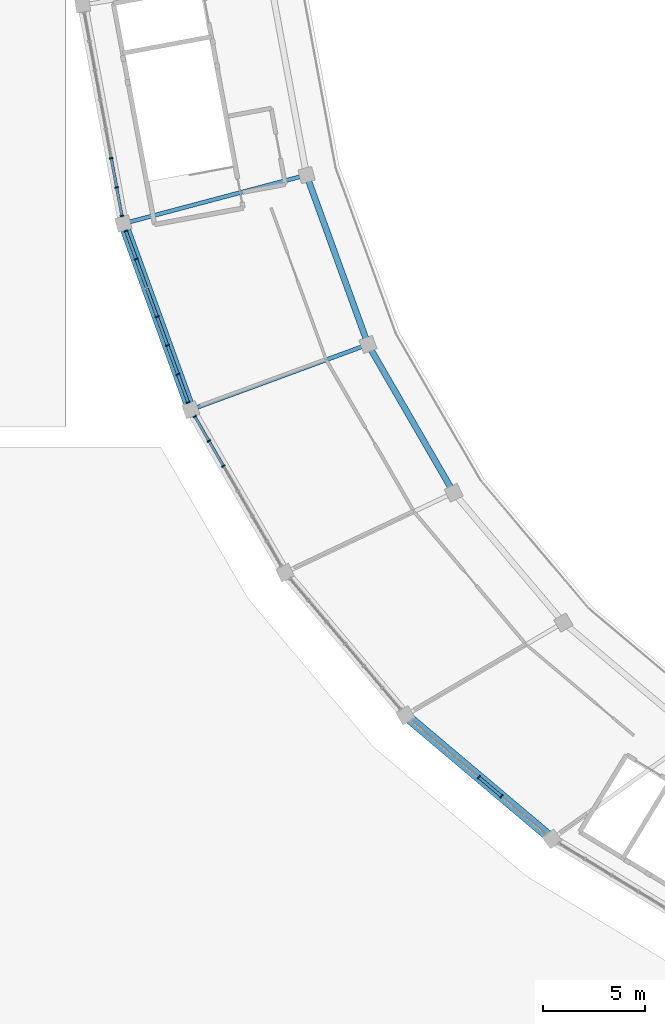
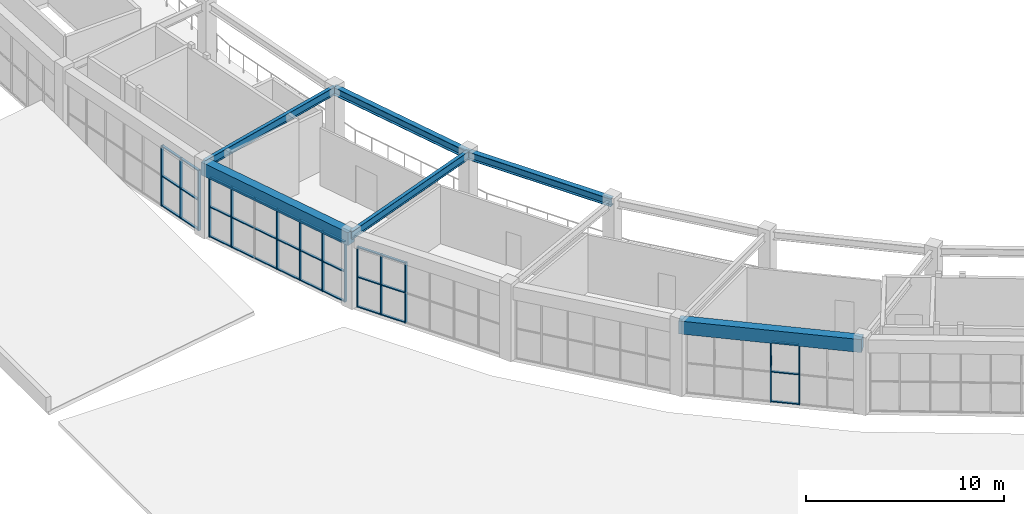
# One storey, part 17 of 45: 47 members, 6 beams, 4 elements without a shape of their own.
"""IFC4 building model written with IfcOpenShell, lengths in metres."""

from ifc_helpers import new_model, si_unit, direction, frame, origin, origin_2d, place, context, subcontext, project, spatial, rectangle, i_section, extrude, material, layer, layer_set, material_profile, profile_set, type_object, element, aggregate, save


model = new_model("IFC4")

# Units and contexts
model_context = context("Model", 3, precision=1e-05, world=origin(), true_north=direction((0.0, 1.0)))
body_context = subcontext(model_context, "Body", "Model", "MODEL_VIEW")
ifc_project = project(units=[si_unit("LENGTHUNIT", "METRE"), si_unit("AREAUNIT", "SQUARE_METRE"), si_unit("VOLUMEUNIT", "CUBIC_METRE"), si_unit("PLANEANGLEUNIT", "RADIAN"), si_unit("MASSUNIT", "GRAM", prefix="KILO")], contexts=[model_context])

# Site, building, storey
site_placement = place(None, origin())
site = spatial("IfcSite", under=ifc_project, at=site_placement, CompositionType="ELEMENT")
building_placement = place(site_placement, origin())
building = spatial("IfcBuilding", under=site, at=building_placement, Name="Mphavela Belvedere Stadium", CompositionType="ELEMENT")
storey_placement = place(building_placement, frame((0.0, 0.0, 24.0)))
storey = spatial("IfcBuildingStorey", under=building, at=storey_placement, Name="L05", CompositionType="ELEMENT", Elevation=24.0)

# Beams
ifc_material_1 = material(Name="Concrete C40/50", Category="concrete")
ifc_material_profile_1 = material_profile(ifc_material_1, rectangle(XDim=0.5, YDim=0.800048828125, at=origin_2d()), Name="RC 500x800")
ifc_profile_set_1 = profile_set([ifc_material_profile_1], Name="Concrete C40/50")
beam_type_1 = type_object("IfcBeamType", Name="BM-SPANDREL-800", PredefinedType="SPANDREL", material=ifc_profile_set_1)
beam_1_placement = place(storey_placement, frame((14.83544921875, 60.4375, 4.14990234375), z_axis=(0.341017570596, -0.94005692197, 0.0), x_axis=(0.94005692197, 0.341017570596, 0.0)))
element("IfcBeam", 1, at=beam_1_placement, inside=storey, type_object=beam_type_1, Name="Circumferential girder L05 R4-27", PredefinedType="SPANDREL", context=body_context, shape_type="SweptSolid", body=[
    extrude(rectangle(XDim=0.5, YDim=0.800048828125, at=origin_2d()), origin(), (0.0, 0.0, 1.0), 9.701416015625),
])
beam_2_placement = place(storey_placement, frame((28.66162109375, 36.346435546875, 4.14990234375), z_axis=(0.76426547638, -0.644901761212, 0.0), x_axis=(0.644901761212, 0.76426547638, 0.0)))
element("IfcBeam", 2, at=beam_2_placement, inside=storey, type_object=beam_type_1, Name="Circumferential girder L05 R4-30", PredefinedType="SPANDREL", context=body_context, shape_type="SweptSolid", body=[
    extrude(rectangle(XDim=0.5, YDim=0.800048828125, at=origin_2d()), origin(), (0.0, 0.0, 1.0), 9.3984375),
])
ifc_material_2 = material(Name="Steel S355", Category="steel")
ifc_material_profile_2 = material_profile(ifc_material_2, i_section(OverallWidth=0.300048828125, OverallDepth=0.489990234375, WebThickness=0.011962890625, FlangeThickness=0.02294921875, at=origin_2d()), Name="HEA 500")
ifc_profile_set_2 = profile_set([ifc_material_profile_2], Name="Steel S355")
beam_type_2 = type_object("IfcBeamType", Name="BM-STEEL-HEA500", PredefinedType="BEAM", material=ifc_profile_set_2)
beam_3_placement = place(storey_placement, frame((23.8125, 62.818115234375, 4.304931640625), z_axis=(0.341030504348, -0.940052229987, 0.0), x_axis=(0.940052229987, 0.341030504348, 0.0)))
element("IfcBeam", 3, at=beam_3_placement, inside=storey, type_object=beam_type_2, Name="Circumferential girder L05 R3-27", PredefinedType="BEAM", context=body_context, shape_type="SweptSolid", body=[
    extrude(i_section(OverallWidth=0.300048828125, OverallDepth=0.489990234375, WebThickness=0.011962890625, FlangeThickness=0.02294921875, at=origin_2d()), origin(), (0.0, 0.0, 1.0), 8.83203125),
])
beam_4_placement = place(storey_placement, frame((26.824462890625, 54.515625, 4.304931640625), z_axis=(0.500547586322, -0.865709023765, 0.0), x_axis=(0.865709023765, 0.500547586322, 0.0)))
element("IfcBeam", 4, at=beam_4_placement, inside=storey, type_object=beam_type_2, Name="Circumferential girder L05 R3-28", PredefinedType="BEAM", context=body_context, shape_type="SweptSolid", body=[
    extrude(i_section(OverallWidth=0.300048828125, OverallDepth=0.489990234375, WebThickness=0.011962890625, FlangeThickness=0.02294921875, at=origin_2d()), origin(), (0.0, 0.0, 1.0), 8.390625),
])
ifc_material_3 = material(Name="Steel S355", Category="steel")
ifc_material_profile_3 = material_profile(ifc_material_3, i_section(OverallWidth=0.199951171875, OverallDepth=0.5, WebThickness=0.01025390625, FlangeThickness=0.01611328125, at=origin_2d()), Name="IPE 500")
ifc_profile_set_3 = profile_set([ifc_material_profile_3], Name="Steel S355")
beam_type_3 = type_object("IfcBeamType", Name="BM-STEEL-IPE500", PredefinedType="BEAM", material=ifc_profile_set_3)
beam_5_placement = place(storey_placement, frame((23.8125, 62.818115234375, 4.300048828125), z_axis=(-0.966589609073, -0.256328944196, 0.0), x_axis=(0.256328944196, -0.966589609073, 0.0)))
element("IfcBeam", 5, at=beam_5_placement, inside=storey, type_object=beam_type_3, Name="Radial concourse girder L05 R3R4-27", PredefinedType="BEAM", context=body_context, shape_type="SweptSolid", body=[
    extrude(i_section(OverallWidth=0.199951171875, OverallDepth=0.5, WebThickness=0.01025390625, FlangeThickness=0.01611328125, at=origin_2d()), origin(), (0.0, 0.0, 1.0), 9.287353515625),
])
beam_6_placement = place(storey_placement, frame((26.824462890625, 54.515625, 4.300048828125), z_axis=(-0.938348073025, -0.345691905967, 0.0), x_axis=(0.345691905967, -0.938348073025, 0.0)))
element("IfcBeam", 6, at=beam_6_placement, inside=storey, type_object=beam_type_3, Name="Radial concourse girder L05 R3R4-28", PredefinedType="BEAM", context=body_context, shape_type="SweptSolid", body=[
    extrude(i_section(OverallWidth=0.199951171875, OverallDepth=0.5, WebThickness=0.01025390625, FlangeThickness=0.01611328125, at=origin_2d()), origin(), (0.0, 0.0, 1.0), 9.2509765625),
])

# Curtain wall, members
ifc_material_4 = material(Name="Anodised bronze unitised curtain wall framing")
ifc_layer_1 = layer(ifc_material_4, 0.18505859375)
ifc_layer_set_1 = layer_set([ifc_layer_1], Name="Anodised bronze unitised curtain wall framing")
curtain_wall_type_1 = type_object("IfcCurtainWallType", Name="CW-UNIT-02", PredefinedType="USERDEFINED", material=ifc_layer_set_1)
curtain_wall_1_placement = place(storey_placement, origin())
curtain_wall_1 = element("IfcCurtainWall", 7, at=curtain_wall_1_placement, inside=storey, type_object=curtain_wall_type_1, Name="Belvedere colonnade curtain wall L05-26", ObjectType="UNITISED CURTAIN WALL", PredefinedType="USERDEFINED")
ifc_material_5 = material(Name="Anodised bronze extruded aluminium", Category="aluminium")
ifc_material_profile_4 = material_profile(ifc_material_5, rectangle(XDim=0.179931640625, YDim=0.06494140625, at=origin_2d()), Name="CW-MUL 180x65")
ifc_profile_set_4 = profile_set([ifc_material_profile_4], Name="Anodised bronze extruded aluminium")
member_type_1 = type_object("IfcMemberType", Name="CWM-180x65", PredefinedType="MULLION", material=ifc_profile_set_4)
member_1_placement = place(storey_placement, frame((14.2392578125, 63.646240234375, 0.0), z_axis=(0.0, 0.0, 1.0), x_axis=(0.98318393569, 0.182618040183, 0.0)))
member_1 = element("IfcMember", 8, at=member_1_placement, type_object=member_type_1, Name="CW-02 mullion 6", PredefinedType="MULLION", context=body_context, shape_type="SweptSolid", body=[
    extrude(rectangle(XDim=0.179931640625, YDim=0.06494140625, at=origin_2d()), origin(), (0.0, 0.0, 1.0), 3.719970703125),
])
member_2_placement = place(storey_placement, frame((14.505615234375, 62.212890625, 0.0), z_axis=(0.0, 0.0, 1.0), x_axis=(0.98318393569, 0.182618040183, 0.0)))
member_2 = element("IfcMember", 9, at=member_2_placement, type_object=member_type_1, Name="CW-02 mullion 7", PredefinedType="MULLION", context=body_context, shape_type="SweptSolid", body=[
    extrude(rectangle(XDim=0.179931640625, YDim=0.06494140625, at=origin_2d()), origin(), (0.0, 0.0, 1.0), 3.719970703125),
])
member_3_placement = place(storey_placement, frame((14.765869140625, 60.8115234375, 0.0), z_axis=(0.0, 0.0, 1.0), x_axis=(0.98318393569, 0.182618040183, 0.0)))
member_3 = element("IfcMember", 10, at=member_3_placement, type_object=member_type_1, Name="CW-02 mullion 8", PredefinedType="MULLION", context=body_context, shape_type="SweptSolid", body=[
    extrude(rectangle(XDim=0.179931640625, YDim=0.06494140625, at=origin_2d()), origin(), (0.0, 0.0, 1.0), 3.719970703125),
])

ifc_material_6 = material(Name="Anodised bronze unitised curtain wall framing")
ifc_layer_2 = layer(ifc_material_6, 0.18994140625)
ifc_layer_set_2 = layer_set([ifc_layer_2], Name="Anodised bronze unitised curtain wall framing")
curtain_wall_type_2 = type_object("IfcCurtainWallType", Name="CW-UNIT-03", PredefinedType="USERDEFINED", material=ifc_layer_set_2)
curtain_wall_2_placement = place(storey_placement, origin())
curtain_wall_2 = element("IfcCurtainWall", 11, at=curtain_wall_2_placement, inside=storey, type_object=curtain_wall_type_2, Name="Belvedere colonnade curtain wall L05-27", ObjectType="UNITISED CURTAIN WALL", PredefinedType="USERDEFINED")
member_4_placement = place(storey_placement, frame((14.965087890625, 60.079833984375, 0.0), z_axis=(0.0, 0.0, 1.0), x_axis=(0.940053496111, 0.341027014251, 0.0)))
member_4 = element("IfcMember", 12, at=member_4_placement, type_object=member_type_1, Name="CW-03 mullion 1", PredefinedType="MULLION", context=body_context, shape_type="SweptSolid", body=[
    extrude(rectangle(XDim=0.179931640625, YDim=0.06494140625, at=origin_2d()), origin(), (0.0, 0.0, 1.0), 3.719970703125),
])
member_5_placement = place(storey_placement, frame((15.466064453125, 58.699462890625, 0.0), z_axis=(0.0, 0.0, 1.0), x_axis=(0.940053496111, 0.341027014251, 0.0)))
member_5 = element("IfcMember", 13, at=member_5_placement, type_object=member_type_1, Name="CW-03 mullion 2", PredefinedType="MULLION", context=body_context, shape_type="SweptSolid", body=[
    extrude(rectangle(XDim=0.179931640625, YDim=0.06494140625, at=origin_2d()), origin(), (0.0, 0.0, 1.0), 3.719970703125),
])
member_6_placement = place(storey_placement, frame((16.48974609375, 55.877685546875, 0.0), z_axis=(0.0, 0.0, 1.0), x_axis=(0.940053496111, 0.341027014251, 0.0)))
member_6 = element("IfcMember", 14, at=member_6_placement, type_object=member_type_1, Name="CW-03 mullion 4", PredefinedType="MULLION", context=body_context, shape_type="SweptSolid", body=[
    extrude(rectangle(XDim=0.179931640625, YDim=0.06494140625, at=origin_2d()), origin(), (0.0, 0.0, 1.0), 3.719970703125),
])
member_7_placement = place(storey_placement, frame((17.00146484375, 54.466552734375, 0.0), z_axis=(0.0, 0.0, 1.0), x_axis=(0.940053496111, 0.341027014251, 0.0)))
member_7 = element("IfcMember", 15, at=member_7_placement, type_object=member_type_1, Name="CW-03 mullion 5", PredefinedType="MULLION", context=body_context, shape_type="SweptSolid", body=[
    extrude(rectangle(XDim=0.179931640625, YDim=0.06494140625, at=origin_2d()), origin(), (0.0, 0.0, 1.0), 3.719970703125),
])
member_8_placement = place(storey_placement, frame((17.513427734375, 53.0556640625, 0.0), z_axis=(0.0, 0.0, 1.0), x_axis=(0.940053496111, 0.341027014251, 0.0)))
member_8 = element("IfcMember", 16, at=member_8_placement, type_object=member_type_1, Name="CW-03 mullion 6", PredefinedType="MULLION", context=body_context, shape_type="SweptSolid", body=[
    extrude(rectangle(XDim=0.179931640625, YDim=0.06494140625, at=origin_2d()), origin(), (0.0, 0.0, 1.0), 3.719970703125),
])
member_9_placement = place(storey_placement, frame((18.01416015625, 51.67529296875, 0.0), z_axis=(0.0, 0.0, 1.0), x_axis=(0.940053496111, 0.341027014251, 0.0)))
member_9 = element("IfcMember", 17, at=member_9_placement, type_object=member_type_1, Name="CW-03 mullion 7", PredefinedType="MULLION", context=body_context, shape_type="SweptSolid", body=[
    extrude(rectangle(XDim=0.179931640625, YDim=0.06494140625, at=origin_2d()), origin(), (0.0, 0.0, 1.0), 3.719970703125),
])

ifc_material_7 = material(Name="Anodised bronze unitised curtain wall framing")
ifc_layer_3 = layer(ifc_material_7, 0.195068359375)
ifc_layer_set_3 = layer_set([ifc_layer_3], Name="Anodised bronze unitised curtain wall framing")
curtain_wall_type_3 = type_object("IfcCurtainWallType", Name="CW-UNIT-04", PredefinedType="USERDEFINED", material=ifc_layer_set_3)
curtain_wall_3_placement = place(storey_placement, origin())
curtain_wall_3 = element("IfcCurtainWall", 18, at=curtain_wall_3_placement, inside=storey, type_object=curtain_wall_type_3, Name="Belvedere colonnade curtain wall L05-28", ObjectType="UNITISED CURTAIN WALL", PredefinedType="USERDEFINED")
member_10_placement = place(storey_placement, frame((18.33447265625, 50.98828125, 0.0), z_axis=(0.0, 0.0, 1.0), x_axis=(0.865704159606, 0.500555998906, 0.0)))
member_10 = element("IfcMember", 19, at=member_10_placement, type_object=member_type_1, Name="CW-04 mullion 1", PredefinedType="MULLION", context=body_context, shape_type="SweptSolid", body=[
    extrude(rectangle(XDim=0.179931640625, YDim=0.06494140625, at=origin_2d()), origin(), (0.0, 0.0, 1.0), 3.719970703125),
])
member_11_placement = place(storey_placement, frame((19.029052734375, 49.786865234375, 0.0), z_axis=(0.0, 0.0, 1.0), x_axis=(0.865704159606, 0.500555998906, 0.0)))
member_11 = element("IfcMember", 20, at=member_11_placement, type_object=member_type_1, Name="CW-04 mullion 2", PredefinedType="MULLION", context=body_context, shape_type="SweptSolid", body=[
    extrude(rectangle(XDim=0.179931640625, YDim=0.06494140625, at=origin_2d()), origin(), (0.0, 0.0, 1.0), 3.719970703125),
])
member_12_placement = place(storey_placement, frame((19.73974609375, 48.5576171875, 0.0), z_axis=(0.0, 0.0, 1.0), x_axis=(0.865704159606, 0.500555998906, 0.0)))
member_12 = element("IfcMember", 21, at=member_12_placement, type_object=member_type_1, Name="CW-04 mullion 3", PredefinedType="MULLION", context=body_context, shape_type="SweptSolid", body=[
    extrude(rectangle(XDim=0.179931640625, YDim=0.06494140625, at=origin_2d()), origin(), (0.0, 0.0, 1.0), 3.719970703125),
])

ifc_material_8 = material(Name="Anodised bronze unitised curtain wall framing")
ifc_layer_4 = layer(ifc_material_8, 0.205078125)
ifc_layer_set_4 = layer_set([ifc_layer_4], Name="Anodised bronze unitised curtain wall framing")
curtain_wall_type_4 = type_object("IfcCurtainWallType", Name="CW-UNIT-06", PredefinedType="USERDEFINED", material=ifc_layer_set_4)
curtain_wall_4_placement = place(storey_placement, origin())
curtain_wall_4 = element("IfcCurtainWall", 22, at=curtain_wall_4_placement, inside=storey, type_object=curtain_wall_type_4, Name="Belvedere colonnade curtain wall L05-30", ObjectType="UNITISED CURTAIN WALL", PredefinedType="USERDEFINED")
member_13_placement = place(storey_placement, frame((32.2529296875, 33.31591796875, 0.0), z_axis=(0.0, 0.0, 1.0), x_axis=(0.644916038089, 0.764253429051, 0.0)))
member_13 = element("IfcMember", 23, at=member_13_placement, type_object=member_type_1, Name="CW-06 mullion 4", PredefinedType="MULLION", context=body_context, shape_type="SweptSolid", body=[
    extrude(rectangle(XDim=0.179931640625, YDim=0.06494140625, at=origin_2d()), origin(), (0.0, 0.0, 1.0), 3.719970703125),
])
member_14_placement = place(storey_placement, frame((33.361572265625, 32.380615234375, 0.0), z_axis=(0.0, 0.0, 1.0), x_axis=(0.644916038089, 0.764253429051, 0.0)))
member_14 = element("IfcMember", 24, at=member_14_placement, type_object=member_type_1, Name="CW-06 mullion 5", PredefinedType="MULLION", context=body_context, shape_type="SweptSolid", body=[
    extrude(rectangle(XDim=0.179931640625, YDim=0.06494140625, at=origin_2d()), origin(), (0.0, 0.0, 1.0), 3.719970703125),
])

# Member
ifc_material_9 = material(Name="Anodised bronze extruded aluminium", Category="aluminium")
ifc_material_profile_5 = material_profile(ifc_material_9, rectangle(XDim=0.139892578125, YDim=0.06005859375, at=origin_2d()), Name="CW-TRN 140x60")
ifc_profile_set_5 = profile_set([ifc_material_profile_5], Name="Anodised bronze extruded aluminium")
member_type_2 = type_object("IfcMemberType", Name="CWT-140x60", PredefinedType="USERDEFINED", material=ifc_profile_set_5)
member_15_placement = place(storey_placement, frame((14.245361328125, 63.6142578125, 0.030029296875), z_axis=(0.1826478673, -0.98317839509, 0.0), x_axis=(0.98317839509, 0.1826478673, 0.0)))
member_15 = element("IfcMember", 25, at=member_15_placement, type_object=member_type_2, Name="CW-02 transom 6.1", ObjectType="TRANSOM", PredefinedType="USERDEFINED", context=body_context, shape_type="SweptSolid", body=[
    extrude(rectangle(XDim=0.139892578125, YDim=0.06005859375, at=origin_2d()), origin(), (0.0, 0.0, 1.0), 1.392822265625),
])

member_16_placement = place(storey_placement, frame((14.245361328125, 63.6142578125, 1.860107421875), z_axis=(0.1826478673, -0.98317839509, 0.0), x_axis=(0.98317839509, 0.1826478673, 0.0)))
member_16 = element("IfcMember", 26, at=member_16_placement, type_object=member_type_2, Name="CW-02 transom 6.2", ObjectType="TRANSOM", PredefinedType="USERDEFINED", context=body_context, shape_type="SweptSolid", body=[
    extrude(rectangle(XDim=0.139892578125, YDim=0.06005859375, at=origin_2d()), origin(), (0.0, 0.0, 1.0), 1.392822265625),
])

member_17_placement = place(storey_placement, frame((14.245361328125, 63.6142578125, 3.68994140625), z_axis=(0.1826478673, -0.98317839509, 0.0), x_axis=(0.98317839509, 0.1826478673, 0.0)))
member_17 = element("IfcMember", 27, at=member_17_placement, type_object=member_type_2, Name="CW-02 transom 6.3", ObjectType="TRANSOM", PredefinedType="USERDEFINED", context=body_context, shape_type="SweptSolid", body=[
    extrude(rectangle(XDim=0.139892578125, YDim=0.06005859375, at=origin_2d()), origin(), (0.0, 0.0, 1.0), 1.392822265625),
])

member_18_placement = place(storey_placement, frame((14.511474609375, 62.180908203125, 0.030029296875), z_axis=(0.182706201603, -0.983167556369, 0.0), x_axis=(0.983167556369, 0.182706201603, 0.0)))
member_18 = element("IfcMember", 28, at=member_18_placement, type_object=member_type_2, Name="CW-02 transom 7.1", ObjectType="TRANSOM", PredefinedType="USERDEFINED", context=body_context, shape_type="SweptSolid", body=[
    extrude(rectangle(XDim=0.139892578125, YDim=0.06005859375, at=origin_2d()), origin(), (0.0, 0.0, 1.0), 1.3603515625),
])

member_19_placement = place(storey_placement, frame((14.511474609375, 62.180908203125, 1.860107421875), z_axis=(0.182706201603, -0.983167556369, 0.0), x_axis=(0.983167556369, 0.182706201603, 0.0)))
member_19 = element("IfcMember", 29, at=member_19_placement, type_object=member_type_2, Name="CW-02 transom 7.2", ObjectType="TRANSOM", PredefinedType="USERDEFINED", context=body_context, shape_type="SweptSolid", body=[
    extrude(rectangle(XDim=0.139892578125, YDim=0.06005859375, at=origin_2d()), origin(), (0.0, 0.0, 1.0), 1.3603515625),
])

member_20_placement = place(storey_placement, frame((14.511474609375, 62.180908203125, 3.68994140625), z_axis=(0.182706201603, -0.983167556369, 0.0), x_axis=(0.983167556369, 0.182706201603, 0.0)))
member_20 = element("IfcMember", 30, at=member_20_placement, type_object=member_type_2, Name="CW-02 transom 7.3", ObjectType="TRANSOM", PredefinedType="USERDEFINED", context=body_context, shape_type="SweptSolid", body=[
    extrude(rectangle(XDim=0.139892578125, YDim=0.06005859375, at=origin_2d()), origin(), (0.0, 0.0, 1.0), 1.3603515625),
])

aggregate(curtain_wall_1, [member_1, member_2, member_3, member_15, member_16, member_17, member_18, member_19, member_20])

member_21_placement = place(storey_placement, frame((14.976318359375, 60.04931640625, 0.030029296875), z_axis=(0.340960761536, -0.940077528235, 0.0), x_axis=(0.940077528235, 0.340960761536, 0.0)))
member_21 = element("IfcMember", 31, at=member_21_placement, type_object=member_type_2, Name="CW-03 transom 1.1", ObjectType="TRANSOM", PredefinedType="USERDEFINED", context=body_context, shape_type="SweptSolid", body=[
    extrude(rectangle(XDim=0.139892578125, YDim=0.06005859375, at=origin_2d()), origin(), (0.0, 0.0, 1.0), 1.4033203125),
])

member_22_placement = place(storey_placement, frame((14.976318359375, 60.04931640625, 1.860107421875), z_axis=(0.340960761536, -0.940077528235, 0.0), x_axis=(0.940077528235, 0.340960761536, 0.0)))
member_22 = element("IfcMember", 32, at=member_22_placement, type_object=member_type_2, Name="CW-03 transom 1.2", ObjectType="TRANSOM", PredefinedType="USERDEFINED", context=body_context, shape_type="SweptSolid", body=[
    extrude(rectangle(XDim=0.139892578125, YDim=0.06005859375, at=origin_2d()), origin(), (0.0, 0.0, 1.0), 1.4033203125),
])

member_23_placement = place(storey_placement, frame((14.976318359375, 60.04931640625, 3.68994140625), z_axis=(0.340960761536, -0.940077528235, 0.0), x_axis=(0.940077528235, 0.340960761536, 0.0)))
member_23 = element("IfcMember", 33, at=member_23_placement, type_object=member_type_2, Name="CW-03 transom 1.3", ObjectType="TRANSOM", PredefinedType="USERDEFINED", context=body_context, shape_type="SweptSolid", body=[
    extrude(rectangle(XDim=0.139892578125, YDim=0.06005859375, at=origin_2d()), origin(), (0.0, 0.0, 1.0), 1.4033203125),
])

member_24_placement = place(storey_placement, frame((15.47705078125, 58.6689453125, 0.030029296875), z_axis=(0.341060410328, -0.94004138021, 0.0), x_axis=(0.94004138021, 0.341060410328, 0.0)))
member_24 = element("IfcMember", 34, at=member_24_placement, type_object=member_type_2, Name="CW-03 transom 2.1", ObjectType="TRANSOM", PredefinedType="USERDEFINED", context=body_context, shape_type="SweptSolid", body=[
    extrude(rectangle(XDim=0.139892578125, YDim=0.06005859375, at=origin_2d()), origin(), (0.0, 0.0, 1.0), 1.43603515625),
])

member_25_placement = place(storey_placement, frame((15.47705078125, 58.6689453125, 1.860107421875), z_axis=(0.341060410328, -0.94004138021, 0.0), x_axis=(0.94004138021, 0.341060410328, 0.0)))
member_25 = element("IfcMember", 35, at=member_25_placement, type_object=member_type_2, Name="CW-03 transom 2.2", ObjectType="TRANSOM", PredefinedType="USERDEFINED", context=body_context, shape_type="SweptSolid", body=[
    extrude(rectangle(XDim=0.139892578125, YDim=0.06005859375, at=origin_2d()), origin(), (0.0, 0.0, 1.0), 1.43603515625),
])

member_26_placement = place(storey_placement, frame((15.47705078125, 58.6689453125, 3.68994140625), z_axis=(0.341060410328, -0.94004138021, 0.0), x_axis=(0.94004138021, 0.341060410328, 0.0)))
member_26 = element("IfcMember", 36, at=member_26_placement, type_object=member_type_2, Name="CW-03 transom 2.3", ObjectType="TRANSOM", PredefinedType="USERDEFINED", context=body_context, shape_type="SweptSolid", body=[
    extrude(rectangle(XDim=0.139892578125, YDim=0.06005859375, at=origin_2d()), origin(), (0.0, 0.0, 1.0), 1.43603515625),
])

member_27_placement = place(storey_placement, frame((15.98876953125, 57.258056640625, 0.030029296875), z_axis=(0.341060410328, -0.94004138021, 0.0), x_axis=(0.94004138021, 0.341060410328, 0.0)))
member_27 = element("IfcMember", 37, at=member_27_placement, type_object=member_type_2, Name="CW-03 transom 3.1", ObjectType="TRANSOM", PredefinedType="USERDEFINED", context=body_context, shape_type="SweptSolid", body=[
    extrude(rectangle(XDim=0.139892578125, YDim=0.06005859375, at=origin_2d()), origin(), (0.0, 0.0, 1.0), 1.43603515625),
])

member_28_placement = place(storey_placement, frame((15.98876953125, 57.258056640625, 1.860107421875), z_axis=(0.341060410328, -0.94004138021, 0.0), x_axis=(0.94004138021, 0.341060410328, 0.0)))
member_28 = element("IfcMember", 38, at=member_28_placement, type_object=member_type_2, Name="CW-03 transom 3.2", ObjectType="TRANSOM", PredefinedType="USERDEFINED", context=body_context, shape_type="SweptSolid", body=[
    extrude(rectangle(XDim=0.139892578125, YDim=0.06005859375, at=origin_2d()), origin(), (0.0, 0.0, 1.0), 1.43603515625),
])

member_29_placement = place(storey_placement, frame((15.98876953125, 57.258056640625, 3.68994140625), z_axis=(0.341060410328, -0.94004138021, 0.0), x_axis=(0.94004138021, 0.341060410328, 0.0)))
member_29 = element("IfcMember", 39, at=member_29_placement, type_object=member_type_2, Name="CW-03 transom 3.3", ObjectType="TRANSOM", PredefinedType="USERDEFINED", context=body_context, shape_type="SweptSolid", body=[
    extrude(rectangle(XDim=0.139892578125, YDim=0.06005859375, at=origin_2d()), origin(), (0.0, 0.0, 1.0), 1.43603515625),
])

member_30_placement = place(storey_placement, frame((16.500732421875, 55.84716796875, 0.030029296875), z_axis=(0.341060410328, -0.94004138021, 0.0), x_axis=(0.94004138021, 0.341060410328, 0.0)))
member_30 = element("IfcMember", 40, at=member_30_placement, type_object=member_type_2, Name="CW-03 transom 4.1", ObjectType="TRANSOM", PredefinedType="USERDEFINED", context=body_context, shape_type="SweptSolid", body=[
    extrude(rectangle(XDim=0.139892578125, YDim=0.06005859375, at=origin_2d()), origin(), (0.0, 0.0, 1.0), 1.43603515625),
])

member_31_placement = place(storey_placement, frame((16.500732421875, 55.84716796875, 1.860107421875), z_axis=(0.341060410328, -0.94004138021, 0.0), x_axis=(0.94004138021, 0.341060410328, 0.0)))
member_31 = element("IfcMember", 41, at=member_31_placement, type_object=member_type_2, Name="CW-03 transom 4.2", ObjectType="TRANSOM", PredefinedType="USERDEFINED", context=body_context, shape_type="SweptSolid", body=[
    extrude(rectangle(XDim=0.139892578125, YDim=0.06005859375, at=origin_2d()), origin(), (0.0, 0.0, 1.0), 1.43603515625),
])

member_32_placement = place(storey_placement, frame((16.500732421875, 55.84716796875, 3.68994140625), z_axis=(0.341060410328, -0.94004138021, 0.0), x_axis=(0.94004138021, 0.341060410328, 0.0)))
member_32 = element("IfcMember", 42, at=member_32_placement, type_object=member_type_2, Name="CW-03 transom 4.3", ObjectType="TRANSOM", PredefinedType="USERDEFINED", context=body_context, shape_type="SweptSolid", body=[
    extrude(rectangle(XDim=0.139892578125, YDim=0.06005859375, at=origin_2d()), origin(), (0.0, 0.0, 1.0), 1.43603515625),
])

member_33_placement = place(storey_placement, frame((17.0126953125, 54.43603515625, 0.030029296875), z_axis=(0.340910154233, -0.940095881674, 0.0), x_axis=(0.940095881674, 0.340910154233, 0.0)))
member_33 = element("IfcMember", 43, at=member_33_placement, type_object=member_type_2, Name="CW-03 transom 5.1", ObjectType="TRANSOM", PredefinedType="USERDEFINED", context=body_context, shape_type="SweptSolid", body=[
    extrude(rectangle(XDim=0.139892578125, YDim=0.06005859375, at=origin_2d()), origin(), (0.0, 0.0, 1.0), 1.435791015625),
])

member_34_placement = place(storey_placement, frame((17.0126953125, 54.43603515625, 1.860107421875), z_axis=(0.340910154233, -0.940095881674, 0.0), x_axis=(0.940095881674, 0.340910154233, 0.0)))
member_34 = element("IfcMember", 44, at=member_34_placement, type_object=member_type_2, Name="CW-03 transom 5.2", ObjectType="TRANSOM", PredefinedType="USERDEFINED", context=body_context, shape_type="SweptSolid", body=[
    extrude(rectangle(XDim=0.139892578125, YDim=0.06005859375, at=origin_2d()), origin(), (0.0, 0.0, 1.0), 1.435791015625),
])

member_35_placement = place(storey_placement, frame((17.0126953125, 54.43603515625, 3.68994140625), z_axis=(0.340910154233, -0.940095881674, 0.0), x_axis=(0.940095881674, 0.340910154233, 0.0)))
member_35 = element("IfcMember", 45, at=member_35_placement, type_object=member_type_2, Name="CW-03 transom 5.3", ObjectType="TRANSOM", PredefinedType="USERDEFINED", context=body_context, shape_type="SweptSolid", body=[
    extrude(rectangle(XDim=0.139892578125, YDim=0.06005859375, at=origin_2d()), origin(), (0.0, 0.0, 1.0), 1.435791015625),
])

member_36_placement = place(storey_placement, frame((17.5244140625, 53.025146484375, 0.030029296875), z_axis=(0.340960761536, -0.940077528235, 0.0), x_axis=(0.940077528235, 0.340960761536, 0.0)))
member_36 = element("IfcMember", 46, at=member_36_placement, type_object=member_type_2, Name="CW-03 transom 6.1", ObjectType="TRANSOM", PredefinedType="USERDEFINED", context=body_context, shape_type="SweptSolid", body=[
    extrude(rectangle(XDim=0.139892578125, YDim=0.06005859375, at=origin_2d()), origin(), (0.0, 0.0, 1.0), 1.4033203125),
])

member_37_placement = place(storey_placement, frame((17.5244140625, 53.025146484375, 1.860107421875), z_axis=(0.340960761536, -0.940077528235, 0.0), x_axis=(0.940077528235, 0.340960761536, 0.0)))
member_37 = element("IfcMember", 47, at=member_37_placement, type_object=member_type_2, Name="CW-03 transom 6.2", ObjectType="TRANSOM", PredefinedType="USERDEFINED", context=body_context, shape_type="SweptSolid", body=[
    extrude(rectangle(XDim=0.139892578125, YDim=0.06005859375, at=origin_2d()), origin(), (0.0, 0.0, 1.0), 1.4033203125),
])

member_38_placement = place(storey_placement, frame((17.5244140625, 53.025146484375, 3.68994140625), z_axis=(0.340960761536, -0.940077528235, 0.0), x_axis=(0.940077528235, 0.340960761536, 0.0)))
member_38 = element("IfcMember", 48, at=member_38_placement, type_object=member_type_2, Name="CW-03 transom 6.3", ObjectType="TRANSOM", PredefinedType="USERDEFINED", context=body_context, shape_type="SweptSolid", body=[
    extrude(rectangle(XDim=0.139892578125, YDim=0.06005859375, at=origin_2d()), origin(), (0.0, 0.0, 1.0), 1.4033203125),
])

aggregate(curtain_wall_2, [member_4, member_5, member_6, member_7, member_8, member_9, member_21, member_22, member_23, member_24, member_25, member_26, member_27, member_28, member_29, member_30, member_31, member_32, member_33, member_34, member_35, member_36, member_37, member_38])

member_39_placement = place(storey_placement, frame((18.3505859375, 50.960205078125, 0.030029296875), z_axis=(0.500585088296, -0.865687339272, 0.0), x_axis=(0.865687339272, 0.500585088296, 0.0)))
member_39 = element("IfcMember", 49, at=member_39_placement, type_object=member_type_2, Name="CW-04 transom 1.1", ObjectType="TRANSOM", PredefinedType="USERDEFINED", context=body_context, shape_type="SweptSolid", body=[
    extrude(rectangle(XDim=0.139892578125, YDim=0.06005859375, at=origin_2d()), origin(), (0.0, 0.0, 1.0), 1.32275390625),
])

member_40_placement = place(storey_placement, frame((18.3505859375, 50.960205078125, 1.860107421875), z_axis=(0.500585088296, -0.865687339272, 0.0), x_axis=(0.865687339272, 0.500585088296, 0.0)))
member_40 = element("IfcMember", 50, at=member_40_placement, type_object=member_type_2, Name="CW-04 transom 1.2", ObjectType="TRANSOM", PredefinedType="USERDEFINED", context=body_context, shape_type="SweptSolid", body=[
    extrude(rectangle(XDim=0.139892578125, YDim=0.06005859375, at=origin_2d()), origin(), (0.0, 0.0, 1.0), 1.32275390625),
])

member_41_placement = place(storey_placement, frame((18.3505859375, 50.960205078125, 3.68994140625), z_axis=(0.500585088296, -0.865687339272, 0.0), x_axis=(0.865687339272, 0.500585088296, 0.0)))
member_41 = element("IfcMember", 51, at=member_41_placement, type_object=member_type_2, Name="CW-04 transom 1.3", ObjectType="TRANSOM", PredefinedType="USERDEFINED", context=body_context, shape_type="SweptSolid", body=[
    extrude(rectangle(XDim=0.139892578125, YDim=0.06005859375, at=origin_2d()), origin(), (0.0, 0.0, 1.0), 1.32275390625),
])

member_42_placement = place(storey_placement, frame((19.045166015625, 49.7587890625, 0.030029296875), z_axis=(0.500652736362, -0.865648218143, 0.0), x_axis=(0.865648218143, 0.500652736362, 0.0)))
member_42 = element("IfcMember", 52, at=member_42_placement, type_object=member_type_2, Name="CW-04 transom 2.1", ObjectType="TRANSOM", PredefinedType="USERDEFINED", context=body_context, shape_type="SweptSolid", body=[
    extrude(rectangle(XDim=0.139892578125, YDim=0.06005859375, at=origin_2d()), origin(), (0.0, 0.0, 1.0), 1.355224609375),
])

member_43_placement = place(storey_placement, frame((19.045166015625, 49.7587890625, 1.860107421875), z_axis=(0.500652736362, -0.865648218143, 0.0), x_axis=(0.865648218143, 0.500652736362, 0.0)))
member_43 = element("IfcMember", 53, at=member_43_placement, type_object=member_type_2, Name="CW-04 transom 2.2", ObjectType="TRANSOM", PredefinedType="USERDEFINED", context=body_context, shape_type="SweptSolid", body=[
    extrude(rectangle(XDim=0.139892578125, YDim=0.06005859375, at=origin_2d()), origin(), (0.0, 0.0, 1.0), 1.355224609375),
])

member_44_placement = place(storey_placement, frame((19.045166015625, 49.7587890625, 3.68994140625), z_axis=(0.500652736362, -0.865648218143, 0.0), x_axis=(0.865648218143, 0.500652736362, 0.0)))
member_44 = element("IfcMember", 54, at=member_44_placement, type_object=member_type_2, Name="CW-04 transom 2.3", ObjectType="TRANSOM", PredefinedType="USERDEFINED", context=body_context, shape_type="SweptSolid", body=[
    extrude(rectangle(XDim=0.139892578125, YDim=0.06005859375, at=origin_2d()), origin(), (0.0, 0.0, 1.0), 1.355224609375),
])

aggregate(curtain_wall_3, [member_10, member_11, member_12, member_39, member_40, member_41, member_42, member_43, member_44])

member_45_placement = place(storey_placement, frame((32.27783203125, 33.294921875, 0.030029296875), z_axis=(0.764321340715, -0.644835551228, 0.0), x_axis=(0.644835551228, 0.764321340715, 0.0)))
member_45 = element("IfcMember", 55, at=member_45_placement, type_object=member_type_2, Name="CW-06 transom 4.1", ObjectType="TRANSOM", PredefinedType="USERDEFINED", context=body_context, shape_type="SweptSolid", body=[
    extrude(rectangle(XDim=0.139892578125, YDim=0.06005859375, at=origin_2d()), origin(), (0.0, 0.0, 1.0), 1.38525390625),
])

member_46_placement = place(storey_placement, frame((32.27783203125, 33.294921875, 1.860107421875), z_axis=(0.764321340715, -0.644835551228, 0.0), x_axis=(0.644835551228, 0.764321340715, 0.0)))
member_46 = element("IfcMember", 56, at=member_46_placement, type_object=member_type_2, Name="CW-06 transom 4.2", ObjectType="TRANSOM", PredefinedType="USERDEFINED", context=body_context, shape_type="SweptSolid", body=[
    extrude(rectangle(XDim=0.139892578125, YDim=0.06005859375, at=origin_2d()), origin(), (0.0, 0.0, 1.0), 1.38525390625),
])

member_47_placement = place(storey_placement, frame((32.27783203125, 33.294921875, 3.68994140625), z_axis=(0.764321340715, -0.644835551228, 0.0), x_axis=(0.644835551228, 0.764321340715, 0.0)))
member_47 = element("IfcMember", 57, at=member_47_placement, type_object=member_type_2, Name="CW-06 transom 4.3", ObjectType="TRANSOM", PredefinedType="USERDEFINED", context=body_context, shape_type="SweptSolid", body=[
    extrude(rectangle(XDim=0.139892578125, YDim=0.06005859375, at=origin_2d()), origin(), (0.0, 0.0, 1.0), 1.38525390625),
])

aggregate(curtain_wall_4, [member_13, member_14, member_45, member_46, member_47])

save(model, "model.ifc")
